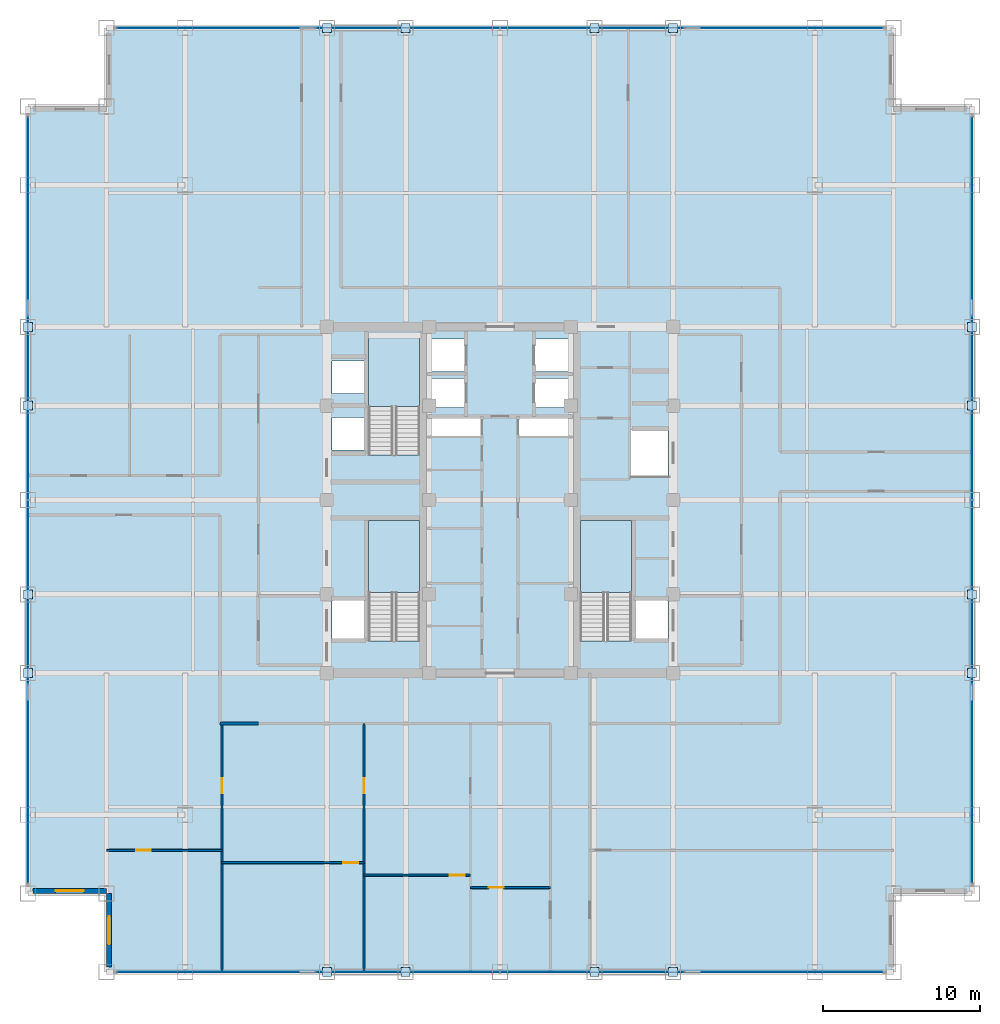
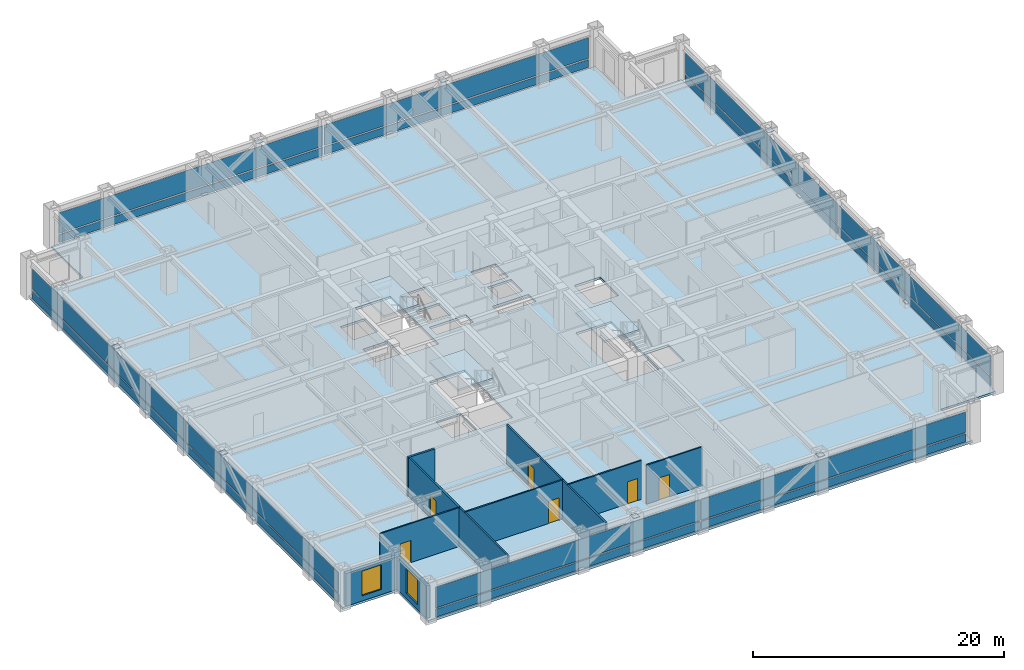
# One storey, part 19 of 24: 32 plates, 9 walls, 6 doors, 4 slabs, 2 windows, 8 openings, 7 elements without a shape of their own.
"""IFC4 building model written with IfcOpenShell, lengths in metres."""

from ifc_helpers import new_model, si_unit, direction, frame, frame_2d, origin, origin_2d, place, context, subcontext, project, spatial, polyline, rectangle, outline, extrude, source, transform, mapped, material, layer, layer_set, type_object, element, fill, aggregate, save


model = new_model("IFC4")

# Units and contexts
model_context = context("Model", 3, precision=1e-05, world=origin(), true_north=direction((0.0, 1.0)))
body_context = subcontext(model_context, "Body", "Model", "MODEL_VIEW")
ifc_project = project(units=[si_unit("LENGTHUNIT", "METRE"), si_unit("AREAUNIT", "SQUARE_METRE"), si_unit("VOLUMEUNIT", "CUBIC_METRE"), si_unit("PLANEANGLEUNIT", "RADIAN"), si_unit("MASSUNIT", "GRAM", prefix="KILO")], contexts=[model_context])

# Site, building, storey
site_placement = place(None, origin())
site = spatial("IfcSite", under=ifc_project, at=site_placement, CompositionType="ELEMENT")
building_placement = place(site_placement, origin())
building = spatial("IfcBuilding", under=site, at=building_placement, Name="Khorayat Bourse Tower", CompositionType="ELEMENT")
storey_placement = place(building_placement, frame((0.0, 0.0, 215.10009765625)))
storey = spatial("IfcBuildingStorey", under=building, at=storey_placement, Name="L50", CompositionType="ELEMENT", Elevation=215.10009765625)

# Stair, slab
ifc_material_1 = material(Name="Concrete C40/50", Category="concrete")
stair_type = type_object("IfcStairType", Name="STR-CORE-1550", PredefinedType="HALF_TURN_STAIR", material=ifc_material_1)
stair_1_placement = place(storey_placement, origin())
stair_1 = element("IfcStair", 1, at=stair_1_placement, inside=storey, type_object=stair_type, Name="L50 Exit Stair ST-1", PredefinedType="HALF_TURN_STAIR")
ifc_layer_1 = layer(ifc_material_1, 0.199951171875)
ifc_layer_set_1 = layer_set([ifc_layer_1], Name="Concrete C40/50")
slab_type_1 = type_object("IfcSlabType", Name="SLB-LANDING-200", PredefinedType="LANDING", material=ifc_layer_set_1)
slab_1_placement = place(storey_placement, frame((0.0, 0.0, 1.7998046875)))
slab_1 = element("IfcSlab", 2, at=slab_1_placement, type_object=slab_type_1, Name="ST-1 landing 1", PredefinedType="LANDING", context=body_context, shape_type="SweptSolid", body=[
    extrude(outline(polyline([(-5.10009765625, -5.8701171875), (-5.10009765625, -1.300048828125), (-8.35009765625, -1.300048828125), (-8.35009765625, -5.8701171875), (-5.10009765625, -5.8701171875)])), origin(), (0.0, 0.0, 1.0), 0.2001953125),
])
aggregate(stair_1, [slab_1])

stair_2_placement = place(storey_placement, origin())
stair_2 = element("IfcStair", 3, at=stair_2_placement, inside=storey, type_object=stair_type, Name="L50 Exit Stair ST-2", PredefinedType="HALF_TURN_STAIR")
slab_2_placement = place(storey_placement, frame((0.0, 0.0, 1.7998046875)))
slab_2 = element("IfcSlab", 4, at=slab_2_placement, type_object=slab_type_1, Name="ST-2 landing 1", PredefinedType="LANDING", context=body_context, shape_type="SweptSolid", body=[
    extrude(outline(polyline([(-5.10009765625, 5.929931640625), (-5.10009765625, 10.5), (-8.35009765625, 10.5), (-8.35009765625, 5.929931640625), (-5.10009765625, 5.929931640625)])), origin(), (0.0, 0.0, 1.0), 0.2001953125),
])
aggregate(stair_2, [slab_2])

stair_3_placement = place(storey_placement, origin())
stair_3 = element("IfcStair", 5, at=stair_3_placement, inside=storey, type_object=stair_type, Name="L50 Exit Stair ST-3", PredefinedType="HALF_TURN_STAIR")
slab_3_placement = place(storey_placement, frame((0.0, 0.0, 1.7998046875)))
slab_3 = element("IfcSlab", 6, at=slab_3_placement, type_object=slab_type_1, Name="ST-3 landing 1", PredefinedType="LANDING", context=body_context, shape_type="SweptSolid", body=[
    extrude(outline(polyline([(8.35009765625, -5.8701171875), (8.35009765625, -1.300048828125), (5.10009765625, -1.300048828125), (5.10009765625, -5.8701171875), (8.35009765625, -5.8701171875)])), origin(), (0.0, 0.0, 1.0), 0.2001953125),
])
aggregate(stair_3, [slab_3])

# Slab
ifc_layer_2 = layer(ifc_material_1, 0.219970703125)
ifc_layer_set_2 = layer_set([ifc_layer_2], Name="Concrete C40/50")
slab_type_2 = type_object("IfcSlabType", Name="SLB-OFFICE-220", PredefinedType="FLOOR", material=ifc_layer_set_2)
slab_4_placement = place(storey_placement, frame((0.0, 0.0, -0.22021484375)))
element("IfcSlab", 7, at=slab_4_placement, inside=storey, type_object=slab_type_2, Name="L50 Main Floor Slab", PredefinedType="FLOOR", context=body_context, shape_type="SweptSolid", body=[
    extrude(outline(polyline([(-25.0, -30.0), (25.0, -30.0), (25.0, -25.0), (30.0, -25.0), (30.0, 25.0), (25.0, 25.0), (25.0, 30.0), (-25.0, 30.0), (-25.0, 25.0), (-30.0, 25.0), (-30.0, -25.0), (-25.0, -25.0), (-25.0, -30.0)]), holes=[polyline([(-8.35009765625, -8.945068359375), (-5.10009765625, -8.945068359375), (-5.10009765625, -1.300048828125), (-8.35009765625, -1.300048828125), (-8.35009765625, -8.945068359375)]), polyline([(-8.35009765625, 2.85498046875), (-5.10009765625, 2.85498046875), (-5.10009765625, 10.5), (-8.35009765625, 10.5), (-8.35009765625, 2.85498046875)]), polyline([(5.10009765625, -8.945068359375), (8.35009765625, -8.945068359375), (8.35009765625, -1.300048828125), (5.10009765625, -1.300048828125), (5.10009765625, -8.945068359375)]), polyline([(-4.3798828125, 8.169921875), (-2.1201171875, 8.169921875), (-2.1201171875, 10.22998046875), (-4.3798828125, 10.22998046875), (-4.3798828125, 8.169921875)]), polyline([(2.1201171875, 8.169921875), (4.3798828125, 8.169921875), (4.3798828125, 10.22998046875), (2.1201171875, 10.22998046875), (2.1201171875, 8.169921875)]), polyline([(-4.3798828125, 5.8701171875), (-2.219970703125, 5.8701171875), (-2.219970703125, 7.72998046875), (-4.3798828125, 7.72998046875), (-4.3798828125, 5.8701171875)]), polyline([(2.219970703125, 5.8701171875), (4.3798828125, 5.8701171875), (4.3798828125, 7.72998046875), (2.219970703125, 7.72998046875), (2.219970703125, 5.8701171875)]), polyline([(-10.679931640625, 3.169921875), (-8.419921875, 3.169921875), (-8.419921875, 5.22998046875), (-10.679931640625, 5.22998046875), (-10.679931640625, 3.169921875)]), polyline([(-10.679931640625, 6.77001953125), (-8.419921875, 6.77001953125), (-8.419921875, 8.830078125), (-10.679931640625, 8.830078125), (-10.679931640625, 6.77001953125)]), polyline([(-10.679931640625, -8.929931640625), (-8.419921875, -8.929931640625), (-8.419921875, -6.3701171875), (-10.679931640625, -6.3701171875), (-10.679931640625, -8.929931640625)]), polyline([(8.419921875, -8.929931640625), (10.679931640625, -8.929931640625), (10.679931640625, -6.3701171875), (8.419921875, -6.3701171875), (8.419921875, -8.929931640625)]), polyline([(8.320068359375, 1.52001953125), (10.679931640625, 1.52001953125), (10.679931640625, 4.47998046875), (8.320068359375, 4.47998046875), (8.320068359375, 1.52001953125)]), polyline([(-4.56005859375, 4.080078125), (-1.18994140625, 4.080078125), (-1.18994140625, 5.219970703125), (-4.56005859375, 5.219970703125), (-4.56005859375, 4.080078125)]), polyline([(1.18994140625, 4.080078125), (4.56005859375, 4.080078125), (4.56005859375, 5.219970703125), (1.18994140625, 5.219970703125), (1.18994140625, 4.080078125)])]), origin(), (0.0, 0.0, 1.0), 0.22021484375),
])

# Plates
ifc_material_2 = material(Name="Steel EN 10025-2 S355J2", Category="steel")
ifc_layer_3 = layer(ifc_material_2, 0.02490234375)
ifc_layer_set_3 = layer_set([ifc_layer_3], Name="Steel EN 10025-2 S355J2")
plate_type_1 = type_object("IfcPlateType", Name="PLT-ENDCAP-25", PredefinedType="SHEET", material=ifc_layer_set_3)
shared_shape_1 = source(origin(), body_context, "Body", "SweptSolid", [
    extrude(rectangle(XDim=0.56005859375, YDim=0.56005859375, at=origin_2d()), origin(), (0.0, 0.0, 1.0), 0.02490234375),
])
for number, where, z_axis, x_axis, name in (
    (8, (-11.0, -30.0, 0.237548828125), (0.0, 0.0, 1.0), (1.0, 0.0, 0.0), "L50 Perimeter Brace End Plate 001"),
    (9, (-6.0, -30.0, 3.517333984375), (0.0, 0.0, 1.0), (1.0, 0.0, 0.0), "L50 Perimeter Brace End Plate 002"),
    (10, (6.0, -30.0, 0.237548828125), (0.0, 0.0, 1.0), (1.0, 0.0, 0.0), "L50 Perimeter Brace End Plate 003"),
    (11, (11.0, -30.0, 3.517333984375), (0.0, 0.0, 1.0), (1.0, 0.0, 0.0), "L50 Perimeter Brace End Plate 004"),
    (12, (-11.0, 30.0, 0.237548828125), (0.0, 0.0, 1.0), (1.0, 0.0, 0.0), "L50 Perimeter Brace End Plate 005"),
    (13, (-6.0, 30.0, 3.517333984375), (0.0, 0.0, 1.0), (1.0, 0.0, 0.0), "L50 Perimeter Brace End Plate 006"),
    (14, (6.0, 30.0, 0.237548828125), (0.0, 0.0, 1.0), (1.0, 0.0, 0.0), "L50 Perimeter Brace End Plate 007"),
    (15, (11.0, 30.0, 3.517333984375), (0.0, 0.0, 1.0), (1.0, 0.0, 0.0), "L50 Perimeter Brace End Plate 008"),
    (16, (-30.0, -11.0, 0.237548828125), (0.0, 0.0, 1.0), (1.0, 0.0, 0.0), "L50 Perimeter Brace End Plate 009"),
    (17, (-30.0, -6.0, 3.517333984375), (0.0, 0.0, 1.0), (1.0, 0.0, 0.0), "L50 Perimeter Brace End Plate 010"),
    (18, (-30.0, 6.0, 0.237548828125), (0.0, 0.0, 1.0), (1.0, 0.0, 0.0), "L50 Perimeter Brace End Plate 011"),
    (19, (-30.0, 11.0, 3.517333984375), (0.0, 0.0, 1.0), (1.0, 0.0, 0.0), "L50 Perimeter Brace End Plate 012"),
    (20, (30.0, -11.0, 0.237548828125), (0.0, 0.0, 1.0), (1.0, 0.0, 0.0), "L50 Perimeter Brace End Plate 013"),
    (21, (30.0, -6.0, 3.517333984375), (0.0, 0.0, 1.0), (1.0, 0.0, 0.0), "L50 Perimeter Brace End Plate 014"),
    (22, (30.0, 6.0, 0.237548828125), (0.0, 0.0, 1.0), (1.0, 0.0, 0.0), "L50 Perimeter Brace End Plate 015"),
    (23, (30.0, 11.0, 3.517333984375), (0.0, 0.0, 1.0), (1.0, 0.0, 0.0), "L50 Perimeter Brace End Plate 016"),
):
    element("IfcPlate", number, at=place(storey_placement, frame(where, z_axis=z_axis, x_axis=x_axis)), inside=storey, type_object=plate_type_1, Name=name, PredefinedType="SHEET", context=body_context, shape_type="MappedRepresentation", body=[
        mapped(shared_shape_1, transform((0.0, 0.0, 0.0), scale=1.0)),
    ])

# Curtain wall, plates
ifc_material_3 = material(Name="Aluminium EN AW-6063 T6", Category="aluminium")
curtain_wall_type = type_object("IfcCurtainWallType", Name="CW-SYS-03", PredefinedType="NOTDEFINED", material=ifc_material_3)
curtain_wall_1_placement = place(storey_placement, origin())
curtain_wall_1 = element("IfcCurtainWall", 24, at=curtain_wall_1_placement, inside=storey, type_object=curtain_wall_type, Name="L50 Curtain Wall CW-L50-S1", PredefinedType="NOTDEFINED")
ifc_material_4 = material(Name="Honed desert limestone insulated spandrel", Category="masonry")
ifc_layer_4 = layer(ifc_material_4, 0.06494140625)
ifc_layer_set_4 = layer_set([ifc_layer_4], Name="Honed desert limestone insulated spandrel")
plate_type_2 = type_object("IfcPlateType", Name="CWP-SPAND-03", PredefinedType="CURTAIN_PANEL", material=ifc_layer_set_4)
shared_shape_2 = source(origin(), body_context, "Body", "SweptSolid", [
    extrude(rectangle(XDim=24.27001953125, YDim=0.06494140625, at=origin_2d()), origin(), (0.0, 0.0, 1.0), 0.77001953125),
])
plate_1_placement = place(storey_placement, frame((-12.195068359375, -30.0, 0.119873046875), z_axis=(0.0, 0.0, 1.0), x_axis=(1.0, 0.0, 0.0)))
plate_1 = element("IfcPlate", 25, at=plate_1_placement, type_object=plate_type_2, Name="CW-L50-S1 Spandrel Panel 1-1", PredefinedType="CURTAIN_PANEL", context=body_context, shape_type="MappedRepresentation", body=[
    mapped(shared_shape_2, transform((0.0, 0.0, 0.0), scale=1.0)),
])
plate_2_placement = place(storey_placement, frame((12.195068359375, -30.0, 0.119873046875), z_axis=(0.0, 0.0, 1.0), x_axis=(1.0, 0.0, 0.0)))
plate_2 = element("IfcPlate", 26, at=plate_2_placement, type_object=plate_type_2, Name="CW-L50-S1 Spandrel Panel 2-1", PredefinedType="CURTAIN_PANEL", context=body_context, shape_type="MappedRepresentation", body=[
    mapped(shared_shape_2, transform((0.0, 0.0, 0.0), scale=1.0)),
])

curtain_wall_2_placement = place(storey_placement, origin())
curtain_wall_2 = element("IfcCurtainWall", 27, at=curtain_wall_2_placement, inside=storey, type_object=curtain_wall_type, Name="L50 Curtain Wall CW-L50-N1", PredefinedType="NOTDEFINED")
plate_3_placement = place(storey_placement, frame((-12.195068359375, 30.0, 0.119873046875), z_axis=(0.0, 0.0, 1.0), x_axis=(1.0, 0.0, 0.0)))
plate_3 = element("IfcPlate", 28, at=plate_3_placement, type_object=plate_type_2, Name="CW-L50-N1 Spandrel Panel 1-1", PredefinedType="CURTAIN_PANEL", context=body_context, shape_type="MappedRepresentation", body=[
    mapped(shared_shape_2, transform((0.0, 0.0, 0.0), scale=1.0)),
])
plate_4_placement = place(storey_placement, frame((12.195068359375, 30.0, 0.119873046875), z_axis=(0.0, 0.0, 1.0), x_axis=(1.0, 0.0, 0.0)))
plate_4 = element("IfcPlate", 29, at=plate_4_placement, type_object=plate_type_2, Name="CW-L50-N1 Spandrel Panel 2-1", PredefinedType="CURTAIN_PANEL", context=body_context, shape_type="MappedRepresentation", body=[
    mapped(shared_shape_2, transform((0.0, 0.0, 0.0), scale=1.0)),
])

curtain_wall_3_placement = place(storey_placement, origin())
curtain_wall_3 = element("IfcCurtainWall", 30, at=curtain_wall_3_placement, inside=storey, type_object=curtain_wall_type, Name="L50 Curtain Wall CW-L50-W1", PredefinedType="NOTDEFINED")
plate_5_placement = place(storey_placement, frame((-30.0, -12.195068359375, 0.119873046875), z_axis=(0.0, 0.0, 1.0), x_axis=(0.0, 1.0, 0.0)))
plate_5 = element("IfcPlate", 31, at=plate_5_placement, type_object=plate_type_2, Name="CW-L50-W1 Spandrel Panel 1-1", PredefinedType="CURTAIN_PANEL", context=body_context, shape_type="MappedRepresentation", body=[
    mapped(shared_shape_2, transform((0.0, 0.0, 0.0), scale=1.0)),
])
plate_6_placement = place(storey_placement, frame((-30.0, 12.195068359375, 0.119873046875), z_axis=(0.0, 0.0, 1.0), x_axis=(0.0, 1.0, 0.0)))
plate_6 = element("IfcPlate", 32, at=plate_6_placement, type_object=plate_type_2, Name="CW-L50-W1 Spandrel Panel 2-1", PredefinedType="CURTAIN_PANEL", context=body_context, shape_type="MappedRepresentation", body=[
    mapped(shared_shape_2, transform((0.0, 0.0, 0.0), scale=1.0)),
])

curtain_wall_4_placement = place(storey_placement, origin())
curtain_wall_4 = element("IfcCurtainWall", 33, at=curtain_wall_4_placement, inside=storey, type_object=curtain_wall_type, Name="L50 Curtain Wall CW-L50-E1", PredefinedType="NOTDEFINED")
plate_7_placement = place(storey_placement, frame((30.0, -12.195068359375, 0.119873046875), z_axis=(0.0, 0.0, 1.0), x_axis=(0.0, 1.0, 0.0)))
plate_7 = element("IfcPlate", 34, at=plate_7_placement, type_object=plate_type_2, Name="CW-L50-E1 Spandrel Panel 1-1", PredefinedType="CURTAIN_PANEL", context=body_context, shape_type="MappedRepresentation", body=[
    mapped(shared_shape_2, transform((0.0, 0.0, 0.0), scale=1.0)),
])
plate_8_placement = place(storey_placement, frame((30.0, 12.195068359375, 0.119873046875), z_axis=(0.0, 0.0, 1.0), x_axis=(0.0, 1.0, 0.0)))
plate_8 = element("IfcPlate", 35, at=plate_8_placement, type_object=plate_type_2, Name="CW-L50-E1 Spandrel Panel 2-1", PredefinedType="CURTAIN_PANEL", context=body_context, shape_type="MappedRepresentation", body=[
    mapped(shared_shape_2, transform((0.0, 0.0, 0.0), scale=1.0)),
])

# Plate
ifc_material_5 = material(Name="Low-E solar-control laminated double glazing", Category="glass")
ifc_layer_5 = layer(ifc_material_5, 0.035888671875)
ifc_layer_set_5 = layer_set([ifc_layer_5], Name="Low-E solar-control laminated double glazing")
plate_type_3 = type_object("IfcPlateType", Name="CWP-VIS-01", PredefinedType="CURTAIN_PANEL", material=ifc_layer_set_5)
shared_shape_3 = source(origin(), body_context, "Body", "SweptSolid", [
    extrude(rectangle(XDim=24.27001953125, YDim=0.035888671875, at=origin_2d()), origin(), (0.0, 0.0, 1.0), 2.0),
])
plate_9_placement = place(storey_placement, frame((-12.195068359375, -30.0, 1.010009765625), z_axis=(0.0, 0.0, 1.0), x_axis=(1.0, 0.0, 0.0)))
plate_9 = element("IfcPlate", 36, at=plate_9_placement, type_object=plate_type_3, Name="CW-L50-S1 Vision Panel 1-2", PredefinedType="CURTAIN_PANEL", context=body_context, shape_type="MappedRepresentation", body=[
    mapped(shared_shape_3, transform((0.0, 0.0, 0.0), scale=1.0)),
])

plate_10_placement = place(storey_placement, frame((12.195068359375, -30.0, 1.010009765625), z_axis=(0.0, 0.0, 1.0), x_axis=(1.0, 0.0, 0.0)))
plate_10 = element("IfcPlate", 37, at=plate_10_placement, type_object=plate_type_3, Name="CW-L50-S1 Vision Panel 2-2", PredefinedType="CURTAIN_PANEL", context=body_context, shape_type="MappedRepresentation", body=[
    mapped(shared_shape_3, transform((0.0, 0.0, 0.0), scale=1.0)),
])

aggregate(curtain_wall_1, [plate_1, plate_9, plate_2, plate_10])

plate_11_placement = place(storey_placement, frame((-12.195068359375, 30.0, 1.010009765625), z_axis=(0.0, 0.0, 1.0), x_axis=(1.0, 0.0, 0.0)))
plate_11 = element("IfcPlate", 38, at=plate_11_placement, type_object=plate_type_3, Name="CW-L50-N1 Vision Panel 1-2", PredefinedType="CURTAIN_PANEL", context=body_context, shape_type="MappedRepresentation", body=[
    mapped(shared_shape_3, transform((0.0, 0.0, 0.0), scale=1.0)),
])

plate_12_placement = place(storey_placement, frame((12.195068359375, 30.0, 1.010009765625), z_axis=(0.0, 0.0, 1.0), x_axis=(1.0, 0.0, 0.0)))
plate_12 = element("IfcPlate", 39, at=plate_12_placement, type_object=plate_type_3, Name="CW-L50-N1 Vision Panel 2-2", PredefinedType="CURTAIN_PANEL", context=body_context, shape_type="MappedRepresentation", body=[
    mapped(shared_shape_3, transform((0.0, 0.0, 0.0), scale=1.0)),
])

aggregate(curtain_wall_2, [plate_3, plate_11, plate_4, plate_12])

plate_13_placement = place(storey_placement, frame((-30.0, -12.195068359375, 1.010009765625), z_axis=(0.0, 0.0, 1.0), x_axis=(0.0, 1.0, 0.0)))
plate_13 = element("IfcPlate", 40, at=plate_13_placement, type_object=plate_type_3, Name="CW-L50-W1 Vision Panel 1-2", PredefinedType="CURTAIN_PANEL", context=body_context, shape_type="MappedRepresentation", body=[
    mapped(shared_shape_3, transform((0.0, 0.0, 0.0), scale=1.0)),
])

plate_14_placement = place(storey_placement, frame((-30.0, 12.195068359375, 1.010009765625), z_axis=(0.0, 0.0, 1.0), x_axis=(0.0, 1.0, 0.0)))
plate_14 = element("IfcPlate", 41, at=plate_14_placement, type_object=plate_type_3, Name="CW-L50-W1 Vision Panel 2-2", PredefinedType="CURTAIN_PANEL", context=body_context, shape_type="MappedRepresentation", body=[
    mapped(shared_shape_3, transform((0.0, 0.0, 0.0), scale=1.0)),
])

aggregate(curtain_wall_3, [plate_5, plate_13, plate_6, plate_14])

plate_15_placement = place(storey_placement, frame((30.0, -12.195068359375, 1.010009765625), z_axis=(0.0, 0.0, 1.0), x_axis=(0.0, 1.0, 0.0)))
plate_15 = element("IfcPlate", 42, at=plate_15_placement, type_object=plate_type_3, Name="CW-L50-E1 Vision Panel 1-2", PredefinedType="CURTAIN_PANEL", context=body_context, shape_type="MappedRepresentation", body=[
    mapped(shared_shape_3, transform((0.0, 0.0, 0.0), scale=1.0)),
])

plate_16_placement = place(storey_placement, frame((30.0, 12.195068359375, 1.010009765625), z_axis=(0.0, 0.0, 1.0), x_axis=(0.0, 1.0, 0.0)))
plate_16 = element("IfcPlate", 43, at=plate_16_placement, type_object=plate_type_3, Name="CW-L50-E1 Vision Panel 2-2", PredefinedType="CURTAIN_PANEL", context=body_context, shape_type="MappedRepresentation", body=[
    mapped(shared_shape_3, transform((0.0, 0.0, 0.0), scale=1.0)),
])

aggregate(curtain_wall_4, [plate_7, plate_15, plate_8, plate_16])

# Wall, opening, window
ifc_material_6 = material(Name="Precast concrete C45/55", Category="concrete")
ifc_layer_6 = layer(ifc_material_6, 0.320068359375)
ifc_layer_set_6 = layer_set([ifc_layer_6], Name="Precast concrete C45/55")
wall_type_1 = type_object("IfcWallType", Name="WAL-EXT-STONE-320", PredefinedType="STANDARD", material=ifc_layer_set_6)
shared_shape_4 = source(origin(), body_context, "Body", "SweptSolid", [
    extrude(rectangle(XDim=4.679931640625, YDim=0.320068359375, at=frame_2d((2.33984375, 0.0))), origin(), (0.0, 0.0, 1.0), 3.163818359375),
])
wall_1_placement = place(storey_placement, frame((-25.0, -24.840087890625, 0.0), z_axis=(0.0, 0.0, 1.0), x_axis=(-1.0, 0.0, 0.0)))
wall_1 = element("IfcWall", 44, at=wall_1_placement, inside=storey, type_object=wall_type_1, Name="L50 Re-Entrant Notch Limestone Wall SW-H", PredefinedType="STANDARD", context=body_context, shape_type="MappedRepresentation", body=[
    mapped(shared_shape_4, transform((0.0, 0.0, 0.0), scale=1.0)),
])
shared_shape_5 = source(origin(), body_context, "Body", "SweptSolid", [
    extrude(rectangle(XDim=1.800048828125, YDim=2.39990234375, at=frame_2d((0.89990234375, 1.199951171875))), frame((0.0, 0.169921875, 0.0), z_axis=(0.0, -1.0, 0.0), x_axis=(1.0, 0.0, 0.0)), (0.0, 0.0, 1.0), 0.340087890625),
])
opening_1_placement = place(wall_1_placement, frame((1.43994140625, 0.0, 0.5)))
opening_1 = element("IfcOpeningElement", 45, at=opening_1_placement, cuts=wall_1, Name="Opening WN-04", PredefinedType="OPENING", context=body_context, shape_type="MappedRepresentation", body=[
    mapped(shared_shape_5, transform((0.0, 0.0, 0.0), scale=1.0)),
])
ifc_material_7 = material(Name="Low-E acoustic laminated double glazing", Category="glass")
window_type = type_object("IfcWindowType", Name="WIN-NOTCH-1800x2400", PartitioningType="SINGLE_PANEL", PredefinedType="WINDOW", material=ifc_material_7)
shared_shape_6 = source(origin(), body_context, "Body", "SweptSolid", [
    extrude(rectangle(XDim=1.800048828125, YDim=2.39990234375, at=frame_2d((0.89990234375, 1.199951171875))), frame((0.0, 0.030029296875, 0.0), z_axis=(0.0, -1.0, 0.0), x_axis=(1.0, 0.0, 0.0)), (0.0, 0.0, 1.0), 0.06005859375),
])
window_1_placement = place(opening_1_placement, origin())
window_1 = element("IfcWindow", 46, at=window_1_placement, inside=storey, type_object=window_type, Name="L50 Facade Window 1", OverallHeight=2.39990234375, OverallWidth=1.800048828125, PartitioningType="SINGLE_PANEL", PredefinedType="WINDOW", context=body_context, shape_type="MappedRepresentation", body=[
    mapped(shared_shape_6, transform((0.0, 0.0, 0.0), scale=1.0)),
])
fill(opening_1, window_1)

wall_2_placement = place(storey_placement, frame((-24.840087890625, -29.679931640625, 0.0), z_axis=(0.0, 0.0, 1.0), x_axis=(0.0, 1.0, 0.0)))
wall_2 = element("IfcWall", 47, at=wall_2_placement, inside=storey, type_object=wall_type_1, Name="L50 Re-Entrant Notch Limestone Wall SW-V", PredefinedType="STANDARD", context=body_context, shape_type="MappedRepresentation", body=[
    mapped(shared_shape_4, transform((0.0, 0.0, 0.0), scale=1.0)),
])
opening_2_placement = place(wall_2_placement, frame((1.43994140625, 0.0, 0.5)))
opening_2 = element("IfcOpeningElement", 48, at=opening_2_placement, cuts=wall_2, Name="Opening WN-04", PredefinedType="OPENING", context=body_context, shape_type="MappedRepresentation", body=[
    mapped(shared_shape_5, transform((0.0, 0.0, 0.0), scale=1.0)),
])
window_2_placement = place(opening_2_placement, origin())
window_2 = element("IfcWindow", 49, at=window_2_placement, inside=storey, type_object=window_type, Name="L50 Facade Window 1", OverallHeight=2.39990234375, OverallWidth=1.800048828125, PartitioningType="SINGLE_PANEL", PredefinedType="WINDOW", context=body_context, shape_type="MappedRepresentation", body=[
    mapped(shared_shape_6, transform((0.0, 0.0, 0.0), scale=1.0)),
])
fill(opening_2, window_2)

# Wall
ifc_material_8 = material(Name="Gypsum plasterboard acoustic stud wall")
ifc_layer_7 = layer(ifc_material_8, 0.179931640625)
ifc_layer_set_7 = layer_set([ifc_layer_7], Name="Gypsum plasterboard acoustic stud wall")
wall_type_2 = type_object("IfcWallType", Name="WAL-PART-CORR-180", PredefinedType="PARTITIONING", material=ifc_layer_set_7)
shared_shape_7 = source(origin(), body_context, "Body", "SweptSolid", [
    extrude(rectangle(XDim=2.449951171875, YDim=0.179931640625, at=frame_2d((1.22509765625, 0.0))), origin(), (0.0, 0.0, 1.0), 3.77978515625),
])
wall_3_placement = place(storey_placement, frame((-17.800048828125, -14.199951171875, 0.0), z_axis=(0.0, 0.0, 1.0), x_axis=(1.0, 0.0, 0.0)))
element("IfcWall", 50, at=wall_3_placement, inside=storey, type_object=wall_type_2, Name="L50 Partition WAL-L50-C2-WS", PredefinedType="PARTITIONING", context=body_context, shape_type="MappedRepresentation", body=[
    mapped(shared_shape_7, transform((0.0, 0.0, 0.0), scale=1.0)),
])

# Wall, opening, door
ifc_material_9 = material(Name="Gypsum plasterboard twin-frame partition")
ifc_layer_8 = layer(ifc_material_9, 0.14990234375)
ifc_layer_set_8 = layer_set([ifc_layer_8], Name="Gypsum plasterboard twin-frame partition")
wall_type_3 = type_object("IfcWallType", Name="WAL-PART-SUITE-150", PredefinedType="PARTITIONING", material=ifc_layer_set_8)
shared_shape_8 = source(origin(), body_context, "Body", "SweptSolid", [
    extrude(rectangle(XDim=15.800048828125, YDim=0.14990234375, at=frame_2d((7.89990234375, 0.0))), origin(), (0.0, 0.0, 1.0), 3.77978515625),
])
wall_4_placement = place(storey_placement, frame((-17.66796875, -30.0, 0.0), z_axis=(0.0, 0.0, 1.0), x_axis=(0.0, 1.0, 0.0)))
wall_4 = element("IfcWall", 51, at=wall_4_placement, inside=storey, type_object=wall_type_3, Name="L50 Partition WAL-L50-QSWDV-1", PredefinedType="PARTITIONING", context=body_context, shape_type="MappedRepresentation", body=[
    mapped(shared_shape_8, transform((0.0, 0.0, 0.0), scale=1.0)),
])
shared_shape_9 = source(origin(), body_context, "Body", "SweptSolid", [
    extrude(rectangle(XDim=0.949951171875, YDim=2.14990234375, at=frame_2d((0.47509765625, 1.074951171875))), frame((0.0, 0.0849609375, 0.0), z_axis=(0.0, -1.0, 0.0), x_axis=(1.0, 0.0, 0.0)), (0.0, 0.0, 1.0), 0.169921875),
])
opening_3_placement = place(wall_4_placement, frame((11.375, 0.0, 0.0)))
opening_3 = element("IfcOpeningElement", 52, at=opening_3_placement, cuts=wall_4, Name="Opening DI-05", PredefinedType="OPENING", context=body_context, shape_type="MappedRepresentation", body=[
    mapped(shared_shape_9, transform((0.0, 0.0, 0.0), scale=1.0)),
])
ifc_material_10 = material(Name="Acoustic oak veneer office door")
door_type = type_object("IfcDoorType", Name="DR-INT-OFFICE-950", OperationType="NOTDEFINED", PredefinedType="DOOR", material=ifc_material_10)
shared_shape_10 = source(origin(), body_context, "Body", "SweptSolid", [
    extrude(rectangle(XDim=0.949951171875, YDim=2.14990234375, at=frame_2d((0.47509765625, 1.074951171875))), frame((0.0, 0.02490234375, 0.0), z_axis=(0.0, -1.0, 0.0), x_axis=(1.0, 0.0, 0.0)), (0.0, 0.0, 1.0), 0.050048828125),
])
door_1_placement = place(opening_3_placement, origin())
door_1 = element("IfcDoor", 53, at=door_1_placement, inside=storey, type_object=door_type, Name="L50 South-West Suite Link 1", OperationType="SINGLE_SWING_RIGHT", OverallHeight=2.14990234375, OverallWidth=0.949951171875, PredefinedType="DOOR", context=body_context, shape_type="MappedRepresentation", body=[
    mapped(shared_shape_10, transform((0.0, 0.0, 0.0), scale=1.0)),
])
fill(opening_3, door_1)

wall_5_placement = place(storey_placement, frame((-8.64404296875, -30.0, 0.0), z_axis=(0.0, 0.0, 1.0), x_axis=(0.0, 1.0, 0.0)))
wall_5 = element("IfcWall", 54, at=wall_5_placement, inside=storey, type_object=wall_type_3, Name="L50 Partition WAL-L50-QSWDV-2", PredefinedType="PARTITIONING", context=body_context, shape_type="MappedRepresentation", body=[
    mapped(shared_shape_8, transform((0.0, 0.0, 0.0), scale=1.0)),
])
opening_4_placement = place(wall_5_placement, frame((11.375, 0.0, 0.0)))
opening_4 = element("IfcOpeningElement", 55, at=opening_4_placement, cuts=wall_5, Name="Opening DI-05", PredefinedType="OPENING", context=body_context, shape_type="MappedRepresentation", body=[
    mapped(shared_shape_9, transform((0.0, 0.0, 0.0), scale=1.0)),
])
door_2_placement = place(opening_4_placement, origin())
door_2 = element("IfcDoor", 56, at=door_2_placement, inside=storey, type_object=door_type, Name="L50 South-West Suite Link 2", OperationType="SINGLE_SWING_LEFT", OverallHeight=2.14990234375, OverallWidth=0.949951171875, PredefinedType="DOOR", context=body_context, shape_type="MappedRepresentation", body=[
    mapped(shared_shape_10, transform((0.0, 0.0, 0.0), scale=1.0)),
])
fill(opening_4, door_2)

ifc_material_11 = material(Name="Gypsum plasterboard partition")
ifc_layer_9 = layer(ifc_material_11, 0.125)
ifc_layer_set_9 = layer_set([ifc_layer_9], Name="Gypsum plasterboard partition")
wall_type_4 = type_object("IfcWallType", Name="WAL-PART-ROOM-125", PredefinedType="PARTITIONING", material=ifc_layer_set_9)
shared_shape_11 = source(origin(), body_context, "Body", "SweptSolid", [
    extrude(rectangle(XDim=7.33203125, YDim=0.125, at=frame_2d((3.666015625, 0.0))), origin(), (0.0, 0.0, 1.0), 3.77978515625),
])
wall_6_placement = place(storey_placement, frame((-25.0, -22.258056640625, 0.0), z_axis=(0.0, 0.0, 1.0), x_axis=(1.0, 0.0, 0.0)))
wall_6 = element("IfcWall", 57, at=wall_6_placement, inside=storey, type_object=wall_type_4, Name="L50 Partition WAL-L50-QSWDP-1", PredefinedType="PARTITIONING", context=body_context, shape_type="MappedRepresentation", body=[
    mapped(shared_shape_11, transform((0.0, 0.0, 0.0), scale=1.0)),
])
shared_shape_12 = source(origin(), body_context, "Body", "SweptSolid", [
    extrude(rectangle(XDim=0.949951171875, YDim=2.14990234375, at=frame_2d((0.47509765625, 1.074951171875))), frame((0.0, 0.072509765625, 0.0), z_axis=(0.0, -1.0, 0.0), x_axis=(1.0, 0.0, 0.0)), (0.0, 0.0, 1.0), 0.14501953125),
])
opening_5_placement = place(wall_6_placement, frame((1.87109375, 0.0, 0.0)))
opening_5 = element("IfcOpeningElement", 58, at=opening_5_placement, cuts=wall_6, Name="Opening DI-05", PredefinedType="OPENING", context=body_context, shape_type="MappedRepresentation", body=[
    mapped(shared_shape_12, transform((0.0, 0.0, 0.0), scale=1.0)),
])
door_3_placement = place(opening_5_placement, origin())
door_3 = element("IfcDoor", 59, at=door_3_placement, inside=storey, type_object=door_type, Name="L50 South-West Clearing Operations Office 1B Door", OperationType="SINGLE_SWING_RIGHT", OverallHeight=2.14990234375, OverallWidth=0.949951171875, PredefinedType="DOOR", context=body_context, shape_type="MappedRepresentation", body=[
    mapped(shared_shape_10, transform((0.0, 0.0, 0.0), scale=1.0)),
])
fill(opening_5, door_3)

shared_shape_13 = source(origin(), body_context, "Body", "SweptSolid", [
    extrude(rectangle(XDim=9.02392578125, YDim=0.125, at=frame_2d((4.511962890625, 0.0))), origin(), (0.0, 0.0, 1.0), 3.77978515625),
])
wall_7_placement = place(storey_placement, frame((-17.66796875, -23.048095703125, 0.0), z_axis=(0.0, 0.0, 1.0), x_axis=(1.0, 0.0, 0.0)))
wall_7 = element("IfcWall", 60, at=wall_7_placement, inside=storey, type_object=wall_type_4, Name="L50 Partition WAL-L50-QSWDP-2", PredefinedType="PARTITIONING", context=body_context, shape_type="MappedRepresentation", body=[
    mapped(shared_shape_13, transform((0.0, 0.0, 0.0), scale=1.0)),
])
opening_6_placement = place(wall_7_placement, frame((7.698974609375, 0.0, 0.0)))
opening_6 = element("IfcOpeningElement", 61, at=opening_6_placement, cuts=wall_7, Name="Opening DI-05", PredefinedType="OPENING", context=body_context, shape_type="MappedRepresentation", body=[
    mapped(shared_shape_12, transform((0.0, 0.0, 0.0), scale=1.0)),
])
door_4_placement = place(opening_6_placement, origin())
door_4 = element("IfcDoor", 62, at=door_4_placement, inside=storey, type_object=door_type, Name="L50 South-West Equities Trading Desk 2B Door", OperationType="SINGLE_SWING_LEFT", OverallHeight=2.14990234375, OverallWidth=0.949951171875, PredefinedType="DOOR", context=body_context, shape_type="MappedRepresentation", body=[
    mapped(shared_shape_10, transform((0.0, 0.0, 0.0), scale=1.0)),
])
fill(opening_6, door_4)

shared_shape_14 = source(origin(), body_context, "Body", "SweptSolid", [
    extrude(rectangle(XDim=6.76806640625, YDim=0.125, at=frame_2d((3.384033203125, 0.0))), origin(), (0.0, 0.0, 1.0), 3.77978515625),
])
wall_8_placement = place(storey_placement, frame((-8.64404296875, -23.837890625, 0.0), z_axis=(0.0, 0.0, 1.0), x_axis=(1.0, 0.0, 0.0)))
wall_8 = element("IfcWall", 63, at=wall_8_placement, inside=storey, type_object=wall_type_4, Name="L50 Partition WAL-L50-QSWDP-3", PredefinedType="PARTITIONING", context=body_context, shape_type="MappedRepresentation", body=[
    mapped(shared_shape_14, transform((0.0, 0.0, 0.0), scale=1.0)),
])
opening_7_placement = place(wall_8_placement, frame((5.443115234375, 0.0, 0.0)))
opening_7 = element("IfcOpeningElement", 64, at=opening_7_placement, cuts=wall_8, Name="Opening DI-05", PredefinedType="OPENING", context=body_context, shape_type="MappedRepresentation", body=[
    mapped(shared_shape_12, transform((0.0, 0.0, 0.0), scale=1.0)),
])
door_5_placement = place(opening_7_placement, origin())
door_5 = element("IfcDoor", 65, at=door_5_placement, inside=storey, type_object=door_type, Name="L50 South-West Executive Boardroom 3B Door", OperationType="SINGLE_SWING_RIGHT", OverallHeight=2.14990234375, OverallWidth=0.949951171875, PredefinedType="DOOR", context=body_context, shape_type="MappedRepresentation", body=[
    mapped(shared_shape_10, transform((0.0, 0.0, 0.0), scale=1.0)),
])
fill(opening_7, door_5)

shared_shape_15 = source(origin(), body_context, "Body", "SweptSolid", [
    extrude(rectangle(XDim=5.075927734375, YDim=0.125, at=frame_2d((2.5380859375, 0.0))), origin(), (0.0, 0.0, 1.0), 3.77978515625),
])
wall_9_placement = place(storey_placement, frame((-1.8759765625, -24.6279296875, 0.0), z_axis=(0.0, 0.0, 1.0), x_axis=(1.0, 0.0, 0.0)))
wall_9 = element("IfcWall", 66, at=wall_9_placement, inside=storey, type_object=wall_type_4, Name="L50 Partition WAL-L50-QSWDP-4", PredefinedType="PARTITIONING", context=body_context, shape_type="MappedRepresentation", body=[
    mapped(shared_shape_15, transform((0.0, 0.0, 0.0), scale=1.0)),
])
opening_8_placement = place(wall_9_placement, frame((1.1494140625, 0.0, 0.0)))
opening_8 = element("IfcOpeningElement", 67, at=opening_8_placement, cuts=wall_9, Name="Opening DI-05", PredefinedType="OPENING", context=body_context, shape_type="MappedRepresentation", body=[
    mapped(shared_shape_12, transform((0.0, 0.0, 0.0), scale=1.0)),
])
door_6_placement = place(opening_8_placement, origin())
door_6 = element("IfcDoor", 68, at=door_6_placement, inside=storey, type_object=door_type, Name="L50 South-West Staff Tea Pantry 4B Door", OperationType="SINGLE_SWING_LEFT", OverallHeight=2.14990234375, OverallWidth=0.949951171875, PredefinedType="DOOR", context=body_context, shape_type="MappedRepresentation", body=[
    mapped(shared_shape_10, transform((0.0, 0.0, 0.0), scale=1.0)),
])
fill(opening_8, door_6)

save(model, "model.ifc")
